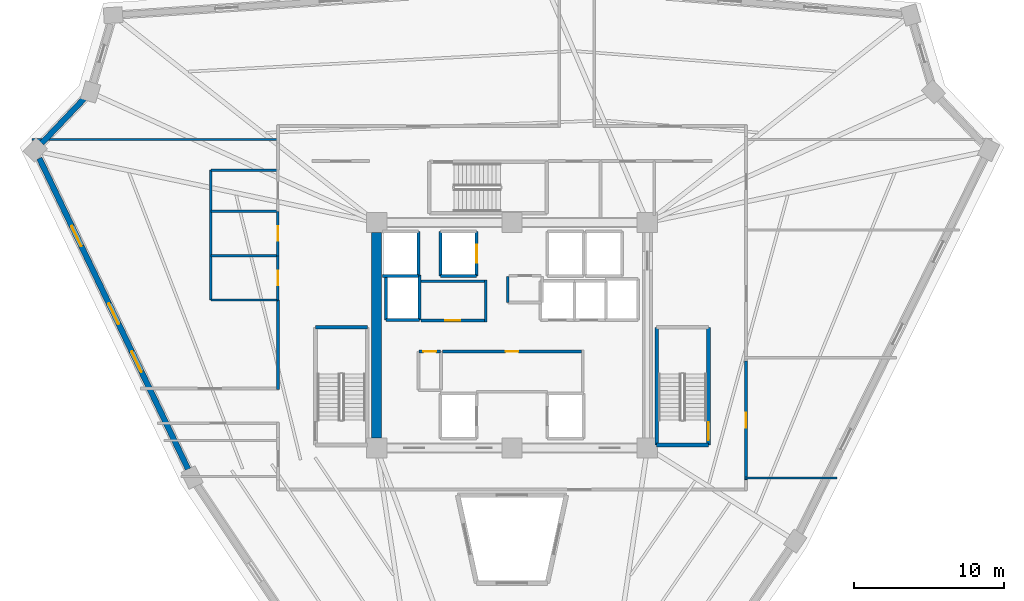
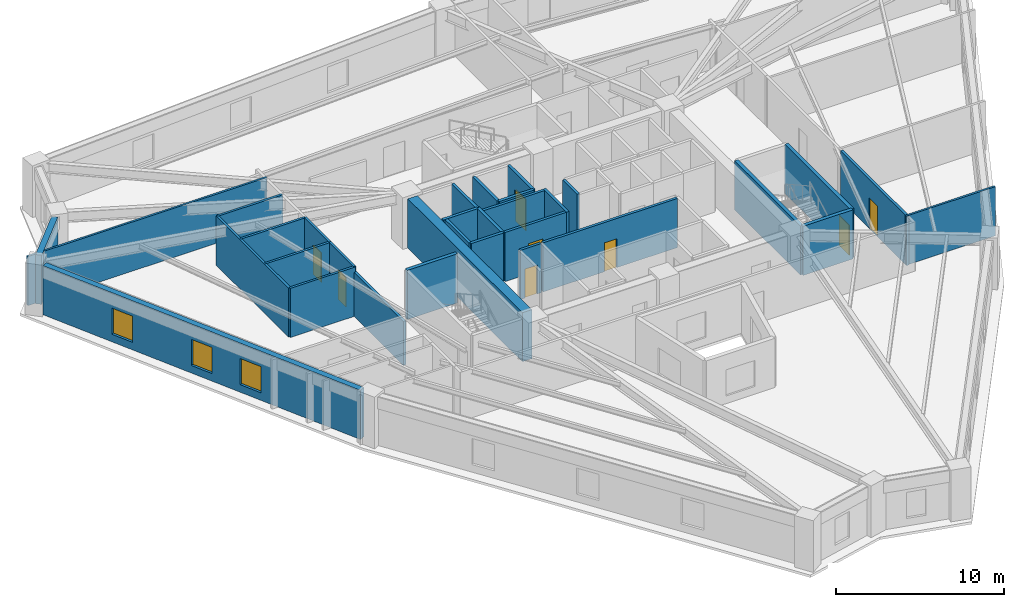
# One storey, part 4 of 8: 32 walls, 8 doors, 3 windows, 11 openings.
"""IFC4 building model written with IfcOpenShell, lengths in metres."""

from ifc_helpers import new_model, si_unit, direction, frame, frame_2d, origin, place, context, subcontext, project, spatial, rectangle, extrude, source, transform, mapped, material, layer, layer_set, type_object, element, fill, save


model = new_model("IFC4")

# Units and contexts
model_context = context("Model", 3, precision=1e-05, world=origin(), true_north=direction((0.0, 1.0)))
body_context = subcontext(model_context, "Body", "Model", "MODEL_VIEW")
ifc_project = project(units=[si_unit("LENGTHUNIT", "METRE"), si_unit("AREAUNIT", "SQUARE_METRE"), si_unit("VOLUMEUNIT", "CUBIC_METRE"), si_unit("PLANEANGLEUNIT", "RADIAN"), si_unit("MASSUNIT", "GRAM", prefix="KILO")], contexts=[model_context])

# Site, building, storey
site_placement = place(None, origin())
site = spatial("IfcSite", under=ifc_project, at=site_placement, CompositionType="ELEMENT")
building_placement = place(site_placement, origin())
building = spatial("IfcBuilding", under=site, at=building_placement, Name="Liaohun Quay Tower", CompositionType="ELEMENT")
storey_placement = place(building_placement, frame((0.0, 0.0, 266.25)))
storey = spatial("IfcBuildingStorey", under=building, at=storey_placement, Name="L69", CompositionType="ELEMENT", Elevation=266.25)

# Walls
ifc_material_1 = material(Name="Concrete C55", Category="concrete")
ifc_layer_1 = layer(ifc_material_1, 0.64990234375, Name="Concrete C55", Category="concrete")
ifc_layer_set_1 = layer_set([ifc_layer_1], Name="Concrete C55")
wall_type_1 = type_object("IfcWallType", Name="WAL-COR-Z3", PredefinedType="SHEAR", material=ifc_layer_set_1)
wall_1_placement = place(storey_placement, frame((51.0, 47.175048828125, 0.0), z_axis=(0.0, 0.0, 1.0), x_axis=(0.0, 1.0, 0.0)))
element("IfcWall", 1, at=wall_1_placement, inside=storey, type_object=wall_type_1, Name="L69 Central Core Shear Wall W", PredefinedType="SHEAR", context=body_context, shape_type="SweptSolid", body=[
    extrude(rectangle(XDim=13.64990234375, YDim=0.64990234375, at=frame_2d((6.824951171875, 0.0))), origin(), (0.0, 0.0, 1.0), 3.570068359375),
])
ifc_material_2 = material(Name="Precast concrete C50 insulated sandwich", Category="concrete")
ifc_layer_2 = layer(ifc_material_2, 0.3798828125, Name="Precast concrete C50 insulated sandwich", Category="concrete")
ifc_layer_set_2 = layer_set([ifc_layer_2], Name="Precast concrete C50 insulated sandwich")
wall_type_2 = type_object("IfcWallType", Name="WAL-EXT-Z34", PredefinedType="SOLIDWALL", material=ifc_layer_set_2)
wall_2_placement = place(storey_placement, frame((31.55908203125, 69.72998046875, 0.0), z_axis=(0.0, 0.0, 1.0), x_axis=(-0.689302304971, -0.724473831385, 0.0)))
element("IfcWall", 2, at=wall_2_placement, inside=storey, type_object=wall_type_2, Name="L69 Brutalist Precast Pier Wall 09", PredefinedType="SOLIDWALL", context=body_context, shape_type="SweptSolid", body=[
    extrude(rectangle(XDim=4.095458984375, YDim=0.3798828125, at=frame_2d((2.0478515625, 0.0))), origin(), (0.0, 0.0, 1.0), 3.570068359375),
])

# Wall, openings, windows
wall_3_placement = place(storey_placement, frame((28.576904296875, 65.761962890625, 0.0), z_axis=(0.0, 0.0, 1.0), x_axis=(0.431702044432, -0.902016266391, 0.0)))
wall_3 = element("IfcWall", 3, at=wall_3_placement, inside=storey, type_object=wall_type_2, Name="L69 Brutalist Precast Pier Wall 10", PredefinedType="SOLIDWALL", context=body_context, shape_type="SweptSolid", body=[
    extrude(rectangle(XDim=22.9140625, YDim=0.3798828125, at=frame_2d((11.45703125, 0.0))), origin(), (0.0, 0.0, 1.0), 3.570068359375),
])
shared_shape_1 = source(origin(), body_context, "Body", "SweptSolid", [
    extrude(rectangle(XDim=1.5, YDim=1.89990234375, at=frame_2d((0.75, 0.949951171875))), frame((0.0, 0.199951171875, 0.0), z_axis=(0.0, -1.0, 0.0), x_axis=(1.0, 0.0, 0.0)), (0.0, 0.0, 1.0), 0.39990234375),
])
opening_1_placement = place(wall_3_placement, frame((4.97900390625, 0.0, 0.550048828125)))
opening_1 = element("IfcOpeningElement", 4, at=opening_1_placement, cuts=wall_3, Name="Opening W03", PredefinedType="OPENING", context=body_context, shape_type="MappedRepresentation", body=[
    mapped(shared_shape_1, transform((0.0, 0.0, 0.0), x_axis=(1.0, 0.0, 0.0), y_axis=(0.0, 1.0, 0.0), z_axis=(0.0, 0.0, 1.0), scale=1.0)),
])
opening_2_placement = place(wall_3_placement, frame((10.70703125, 0.0, 0.550048828125)))
opening_2 = element("IfcOpeningElement", 5, at=opening_2_placement, cuts=wall_3, Name="Opening W03", PredefinedType="OPENING", context=body_context, shape_type="MappedRepresentation", body=[
    mapped(shared_shape_1, transform((0.0, 0.0, 0.0), x_axis=(1.0, 0.0, 0.0), y_axis=(0.0, 1.0, 0.0), z_axis=(0.0, 0.0, 1.0), scale=1.0)),
])
opening_3_placement = place(wall_3_placement, frame((14.236083984375, 0.0, 0.550048828125)))
opening_3 = element("IfcOpeningElement", 6, at=opening_3_placement, cuts=wall_3, Name="Opening W03", PredefinedType="OPENING", context=body_context, shape_type="MappedRepresentation", body=[
    mapped(shared_shape_1, transform((0.0, 0.0, 0.0), x_axis=(1.0, 0.0, 0.0), y_axis=(0.0, 1.0, 0.0), z_axis=(0.0, 0.0, 1.0), scale=1.0)),
])
ifc_material_3 = material(Name="Triple Low-E argon glazing in thermally broken aluminium", Category="aluminium")
window_type = type_object("IfcWindowType", Name="WIN-PUN-Z3", PartitioningType="DOUBLE_PANEL_VERTICAL", PredefinedType="WINDOW", material=ifc_material_3)
shared_shape_2 = source(origin(), body_context, "Body", "SweptSolid", [
    extrude(rectangle(XDim=1.5, YDim=1.89990234375, at=frame_2d((0.75, 0.949951171875))), frame((0.0, 0.030029296875, 0.0), z_axis=(0.0, -1.0, 0.0), x_axis=(1.0, 0.0, 0.0)), (0.0, 0.0, 1.0), 0.06005859375),
])
window_1_placement = place(opening_1_placement, origin())
window_1 = element("IfcWindow", 7, at=window_1_placement, inside=storey, type_object=window_type, Name="L69 Recessed Cold-Climate Punched Window 10-1", OverallHeight=1.89990234375, OverallWidth=1.5, PartitioningType="DOUBLE_PANEL_VERTICAL", PredefinedType="WINDOW", context=body_context, shape_type="MappedRepresentation", body=[
    mapped(shared_shape_2, transform((0.0, 0.0, 0.0), x_axis=(1.0, 0.0, 0.0), y_axis=(0.0, 1.0, 0.0), z_axis=(0.0, 0.0, 1.0), scale=1.0)),
])
fill(opening_1, window_1)
window_2_placement = place(opening_2_placement, origin())
window_2 = element("IfcWindow", 8, at=window_2_placement, inside=storey, type_object=window_type, Name="L69 Recessed Cold-Climate Punched Window 10-2", OverallHeight=1.89990234375, OverallWidth=1.5, PartitioningType="DOUBLE_PANEL_VERTICAL", PredefinedType="WINDOW", context=body_context, shape_type="MappedRepresentation", body=[
    mapped(shared_shape_2, transform((0.0, 0.0, 0.0), x_axis=(1.0, 0.0, 0.0), y_axis=(0.0, 1.0, 0.0), z_axis=(0.0, 0.0, 1.0), scale=1.0)),
])
fill(opening_2, window_2)
window_3_placement = place(opening_3_placement, origin())
window_3 = element("IfcWindow", 9, at=window_3_placement, inside=storey, type_object=window_type, Name="L69 Recessed Cold-Climate Punched Window 10-3", OverallHeight=1.89990234375, OverallWidth=1.5, PartitioningType="DOUBLE_PANEL_VERTICAL", PredefinedType="WINDOW", context=body_context, shape_type="MappedRepresentation", body=[
    mapped(shared_shape_2, transform((0.0, 0.0, 0.0), x_axis=(1.0, 0.0, 0.0), y_axis=(0.0, 1.0, 0.0), z_axis=(0.0, 0.0, 1.0), scale=1.0)),
])
fill(opening_3, window_3)

# Wall, opening, door
ifc_material_4 = material(Name="Autoclaved aerated concrete blockwork", Category="masonry")
ifc_layer_3 = layer(ifc_material_4, 0.179931640625, Name="Autoclaved aerated concrete blockwork", Category="masonry")
ifc_layer_set_3 = layer_set([ifc_layer_3], Name="Autoclaved aerated concrete blockwork")
wall_type_3 = type_object("IfcWallType", Name="WAL-PRT-COR", PredefinedType="PARTITIONING", material=ifc_layer_set_3)
wall_4_placement = place(storey_placement, frame((55.3701171875, 52.919921875, 0.0), z_axis=(0.0, 0.0, 1.0), x_axis=(1.0, 0.0, 0.0)))
wall_4 = element("IfcWall", 10, at=wall_4_placement, inside=storey, type_object=wall_type_3, Name="L69 Interior Partition Wall 001", PredefinedType="PARTITIONING", context=body_context, shape_type="SweptSolid", body=[
    extrude(rectangle(XDim=9.239990234375, YDim=0.179931640625, at=frame_2d((4.6201171875, 0.0))), origin(), (0.0, 0.0, 1.0), 3.570068359375),
])
shared_shape_3 = source(origin(), body_context, "Body", "SweptSolid", [
    extrude(rectangle(XDim=0.85009765625, YDim=2.10009765625, at=frame_2d((0.425048828125, 1.050048828125))), frame((0.0, 0.099853515625, 0.0), z_axis=(0.0, -1.0, 0.0), x_axis=(1.0, 0.0, 0.0)), (0.0, 0.0, 1.0), 0.199951171875),
])
opening_4_placement = place(wall_4_placement, frame((4.205078125, 0.0, 0.0)))
opening_4 = element("IfcOpeningElement", 11, at=opening_4_placement, cuts=wall_4, Name="Opening AD1", PredefinedType="OPENING", context=body_context, shape_type="MappedRepresentation", body=[
    mapped(shared_shape_3, transform((0.0, 0.0, 0.0), x_axis=(1.0, 0.0, 0.0), y_axis=(0.0, 1.0, 0.0), z_axis=(0.0, 0.0, 1.0), scale=1.0)),
])
ifc_material_5 = material(Name="Steel riser inspection fire door", Category="steel")
door_type_1 = type_object("IfcDoorType", Name="DOR-SHF-850", OperationType="NOTDEFINED", PredefinedType="DOOR", material=ifc_material_5)
shared_shape_4 = source(origin(), body_context, "Body", "SweptSolid", [
    extrude(rectangle(XDim=0.85009765625, YDim=2.10009765625, at=frame_2d((0.425048828125, 1.050048828125))), frame((0.0, 0.02490234375, 0.0), z_axis=(0.0, -1.0, 0.0), x_axis=(1.0, 0.0, 0.0)), (0.0, 0.0, 1.0), 0.050048828125),
])
door_1_placement = place(opening_4_placement, origin())
door_1 = element("IfcDoor", 12, at=door_1_placement, inside=storey, type_object=door_type_1, Name="L69 Core Tenant Storage and Archive Room Door", OperationType="SINGLE_SWING_LEFT", OverallHeight=2.10009765625, OverallWidth=0.85009765625, PredefinedType="DOOR", context=body_context, shape_type="MappedRepresentation", body=[
    mapped(shared_shape_4, transform((0.0, 0.0, 0.0), x_axis=(1.0, 0.0, 0.0), y_axis=(0.0, 1.0, 0.0), z_axis=(0.0, 0.0, 1.0), scale=1.0)),
])
fill(opening_4, door_1)

wall_5_placement = place(storey_placement, frame((53.949951171875, 54.97998046875, 0.0), z_axis=(0.0, 0.0, 1.0), x_axis=(1.0, 0.0, 0.0)))
wall_5 = element("IfcWall", 13, at=wall_5_placement, inside=storey, type_object=wall_type_3, Name="L69 Interior Partition Wall 002", PredefinedType="PARTITIONING", context=body_context, shape_type="SweptSolid", body=[
    extrude(rectangle(XDim=4.2099609375, YDim=0.179931640625, at=frame_2d((2.10498046875, 0.0))), origin(), (0.0, 0.0, 1.0), 3.570068359375),
])
shared_shape_5 = source(origin(), body_context, "Body", "SweptSolid", [
    extrude(rectangle(XDim=1.0, YDim=2.199951171875, at=frame_2d((0.5, 1.10009765625))), frame((0.0, 0.099853515625, 0.0), z_axis=(0.0, -1.0, 0.0), x_axis=(1.0, 0.0, 0.0)), (0.0, 0.0, 1.0), 0.199951171875),
])
opening_5_placement = place(wall_5_placement, frame((1.60009765625, 0.0, 0.0)))
opening_5 = element("IfcOpeningElement", 14, at=opening_5_placement, cuts=wall_5, Name="Opening OD1", PredefinedType="OPENING", context=body_context, shape_type="MappedRepresentation", body=[
    mapped(shared_shape_5, transform((0.0, 0.0, 0.0), x_axis=(1.0, 0.0, 0.0), y_axis=(0.0, 1.0, 0.0), z_axis=(0.0, 0.0, 1.0), scale=1.0)),
])
ifc_material_6 = material(Name="Solid-core oak veneer timber leaf in steel frame", Category="steel")
door_type_2 = type_object("IfcDoorType", Name="DOR-OFF-1000", OperationType="NOTDEFINED", PredefinedType="DOOR", material=ifc_material_6)
shared_shape_6 = source(origin(), body_context, "Body", "SweptSolid", [
    extrude(rectangle(XDim=1.0, YDim=2.199951171875, at=frame_2d((0.5, 1.10009765625))), frame((0.0, 0.02490234375, 0.0), z_axis=(0.0, -1.0, 0.0), x_axis=(1.0, 0.0, 0.0)), (0.0, 0.0, 1.0), 0.050048828125),
])
door_2_placement = place(opening_5_placement, origin())
door_2 = element("IfcDoor", 15, at=door_2_placement, inside=storey, type_object=door_type_2, Name="L69 Core Staff Pantry and Tea Room Door", OperationType="SINGLE_SWING_RIGHT", OverallHeight=2.199951171875, OverallWidth=1.0, PredefinedType="DOOR", context=body_context, shape_type="MappedRepresentation", body=[
    mapped(shared_shape_6, transform((0.0, 0.0, 0.0), x_axis=(1.0, 0.0, 0.0), y_axis=(0.0, 1.0, 0.0), z_axis=(0.0, 0.0, 1.0), scale=1.0)),
])
fill(opening_5, door_2)

wall_6_placement = place(storey_placement, frame((53.820068359375, 52.919921875, 0.0), z_axis=(0.0, 0.0, 1.0), x_axis=(1.0, 0.0, 0.0)))
wall_6 = element("IfcWall", 16, at=wall_6_placement, inside=storey, type_object=wall_type_3, Name="L69 Interior Partition Wall 004", PredefinedType="PARTITIONING", context=body_context, shape_type="SweptSolid", body=[
    extrude(rectangle(XDim=1.429931640625, YDim=0.179931640625, at=frame_2d((0.71484375, 0.0))), origin(), (0.0, 0.0, 1.0), 3.570068359375),
])
opening_6_placement = place(wall_6_placement, frame((0.2900390625, 0.0, 0.0)))
opening_6 = element("IfcOpeningElement", 17, at=opening_6_placement, cuts=wall_6, Name="Opening AD1", PredefinedType="OPENING", context=body_context, shape_type="MappedRepresentation", body=[
    mapped(shared_shape_3, transform((0.0, 0.0, 0.0), x_axis=(1.0, 0.0, 0.0), y_axis=(0.0, 1.0, 0.0), z_axis=(0.0, 0.0, 1.0), scale=1.0)),
])
door_3_placement = place(opening_6_placement, origin())
door_3 = element("IfcDoor", 18, at=door_3_placement, inside=storey, type_object=door_type_1, Name="L69 Mechanical Smoke Duct Room Door", OperationType="SINGLE_SWING_RIGHT", OverallHeight=2.10009765625, OverallWidth=0.85009765625, PredefinedType="DOOR", context=body_context, shape_type="MappedRepresentation", body=[
    mapped(shared_shape_4, transform((0.0, 0.0, 0.0), x_axis=(1.0, 0.0, 0.0), y_axis=(0.0, 1.0, 0.0), z_axis=(0.0, 0.0, 1.0), scale=1.0)),
])
fill(opening_6, door_3)

wall_7_placement = place(storey_placement, frame((75.56005859375, 52.284912109375, 0.0), z_axis=(0.0, 0.0, 1.0), x_axis=(0.0, -1.0, 0.0)))
wall_7 = element("IfcWall", 19, at=wall_7_placement, inside=storey, type_object=wall_type_3, Name="L69 Interior Partition Wall 020", PredefinedType="PARTITIONING", context=body_context, shape_type="SweptSolid", body=[
    extrude(rectangle(XDim=7.89990234375, YDim=0.179931640625, at=frame_2d((3.949951171875, 0.0))), origin(), (0.0, 0.0, 1.0), 3.570068359375),
])
opening_7_placement = place(wall_7_placement, frame((3.449951171875, 0.0, 0.0)))
opening_7 = element("IfcOpeningElement", 20, at=opening_7_placement, cuts=wall_7, Name="Opening OD1", PredefinedType="OPENING", context=body_context, shape_type="MappedRepresentation", body=[
    mapped(shared_shape_5, transform((0.0, 0.0, 0.0), x_axis=(1.0, 0.0, 0.0), y_axis=(0.0, 1.0, 0.0), z_axis=(0.0, 0.0, 1.0), scale=1.0)),
])
door_4_placement = place(opening_7_placement, origin())
door_4 = element("IfcDoor", 21, at=door_4_placement, inside=storey, type_object=door_type_2, Name="L69 Records Archive Store 09 Door", OperationType="SINGLE_SWING_RIGHT", OverallHeight=2.199951171875, OverallWidth=1.0, PredefinedType="DOOR", context=body_context, shape_type="MappedRepresentation", body=[
    mapped(shared_shape_6, transform((0.0, 0.0, 0.0), x_axis=(1.0, 0.0, 0.0), y_axis=(0.0, 1.0, 0.0), z_axis=(0.0, 0.0, 1.0), scale=1.0)),
])
fill(opening_7, door_4)

# Walls
wall_8_placement = place(storey_placement, frame((59.719970703125, 56.179931640625, 0.0), z_axis=(0.0, 0.0, 1.0), x_axis=(0.0, 1.0, 0.0)))
element("IfcWall", 22, at=wall_8_placement, inside=storey, type_object=wall_type_3, Name="L69 Interior Partition Wall 021", PredefinedType="PARTITIONING", context=body_context, shape_type="SweptSolid", body=[
    extrude(rectangle(XDim=1.739990234375, YDim=0.179931640625, at=frame_2d((0.8701171875, 0.0))), origin(), (0.0, 0.0, 1.0), 3.570068359375),
])
wall_9_placement = place(storey_placement, frame((44.43994140625, 50.389892578125, 0.0), z_axis=(0.0, 0.0, 1.0), x_axis=(0.0, 1.0, 0.0)))
element("IfcWall", 23, at=wall_9_placement, inside=storey, type_object=wall_type_3, Name="L69 Interior Partition Wall 038", PredefinedType="PARTITIONING", context=body_context, shape_type="SweptSolid", body=[
    extrude(rectangle(XDim=5.9501953125, YDim=0.179931640625, at=frame_2d((2.97509765625, 0.0))), origin(), (0.0, 0.0, 1.0), 3.205078125),
])
wall_10_placement = place(storey_placement, frame((58.25, 54.889892578125, 0.0), z_axis=(0.0, 0.0, 1.0), x_axis=(0.0, 1.0, 0.0)))
element("IfcWall", 24, at=wall_10_placement, inside=storey, type_object=wall_type_3, Name="L69 Interior Partition Wall 052", PredefinedType="PARTITIONING", context=body_context, shape_type="SweptSolid", body=[
    extrude(rectangle(XDim=2.780029296875, YDim=0.179931640625, at=frame_2d((1.39013671875, 0.0))), origin(), (0.0, 0.0, 1.0), 3.570068359375),
])
wall_11_placement = place(storey_placement, frame((53.949951171875, 57.580078125, 0.0), z_axis=(0.0, 0.0, 1.0), x_axis=(1.0, 0.0, 0.0)))
element("IfcWall", 25, at=wall_11_placement, inside=storey, type_object=wall_type_3, Name="L69 Interior Partition Wall 053", PredefinedType="PARTITIONING", context=body_context, shape_type="SweptSolid", body=[
    extrude(rectangle(XDim=4.2099609375, YDim=0.179931640625, at=frame_2d((2.10498046875, 0.0))), origin(), (0.0, 0.0, 1.0), 3.570068359375),
])
ifc_material_7 = material(Name="Gypsum board on twin steel studs", Category="steel")
ifc_layer_4 = layer(ifc_material_7, 0.139892578125, Name="Gypsum board on twin steel studs", Category="steel")
ifc_layer_set_4 = layer_set([ifc_layer_4], Name="Gypsum board on twin steel studs")
wall_type_4 = type_object("IfcWallType", Name="WAL-PRT-OFF", PredefinedType="PARTITIONING", material=ifc_layer_set_4)
wall_12_placement = place(storey_placement, frame((44.5400390625, 67.0, 0.0), z_axis=(0.0, 0.0, 1.0), x_axis=(-1.0, 0.0, 0.0)))
element("IfcWall", 26, at=wall_12_placement, inside=storey, type_object=wall_type_4, Name="L69 Interior Partition Wall 045", PredefinedType="PARTITIONING", context=body_context, shape_type="SweptSolid", body=[
    extrude(rectangle(XDim=16.448974609375, YDim=0.139892578125, at=frame_2d((8.224609375, 0.0))), origin(), (0.0, 0.0, 1.0), 3.570068359375),
])
wall_13_placement = place(storey_placement, frame((75.4599609375, 44.5, 0.0), z_axis=(0.0, 0.0, 1.0), x_axis=(1.0, 0.0, 0.0)))
element("IfcWall", 27, at=wall_13_placement, inside=storey, type_object=wall_type_4, Name="L69 Interior Partition Wall 046", PredefinedType="PARTITIONING", context=body_context, shape_type="SweptSolid", body=[
    extrude(rectangle(XDim=6.14013671875, YDim=0.139892578125, at=frame_2d((3.070068359375, 0.0))), origin(), (0.0, 0.0, 1.0), 3.570068359375),
])

# Wall, opening, door
ifc_material_8 = material(Name="Moisture-resistant masonry blockwork", Category="masonry")
ifc_layer_5 = layer(ifc_material_8, 0.159912109375, Name="Moisture-resistant masonry blockwork", Category="masonry")
ifc_layer_set_5 = layer_set([ifc_layer_5], Name="Moisture-resistant masonry blockwork")
wall_type_5 = type_object("IfcWallType", Name="WAL-PRT-WET", PredefinedType="PARTITIONING", material=ifc_layer_set_5)
wall_14_placement = place(storey_placement, frame((44.43994140625, 56.340087890625, 0.0), z_axis=(0.0, 0.0, 1.0), x_axis=(0.0, 1.0, 0.0)))
wall_14 = element("IfcWall", 28, at=wall_14_placement, inside=storey, type_object=wall_type_5, Name="L69 Interior Partition Wall 005", PredefinedType="PARTITIONING", context=body_context, shape_type="SweptSolid", body=[
    extrude(rectangle(XDim=2.93994140625, YDim=0.159912109375, at=frame_2d((1.469970703125, 0.0))), origin(), (0.0, 0.0, 1.0), 3.570068359375),
])
shared_shape_7 = source(origin(), body_context, "Body", "SweptSolid", [
    extrude(rectangle(XDim=0.949951171875, YDim=2.14990234375, at=frame_2d((0.47509765625, 1.074951171875))), frame((0.0, 0.08984375, 0.0), z_axis=(0.0, -1.0, 0.0), x_axis=(1.0, 0.0, 0.0)), (0.0, 0.0, 1.0), 0.179931640625),
])
opening_8_placement = place(wall_14_placement, frame((0.9951171875, 0.0, 0.0)))
opening_8 = element("IfcOpeningElement", 29, at=opening_8_placement, cuts=wall_14, Name="Opening WD1", PredefinedType="OPENING", context=body_context, shape_type="MappedRepresentation", body=[
    mapped(shared_shape_7, transform((0.0, 0.0, 0.0), x_axis=(1.0, 0.0, 0.0), y_axis=(0.0, 1.0, 0.0), z_axis=(0.0, 0.0, 1.0), scale=1.0)),
])
ifc_material_9 = material(Name="Moisture-resistant laminate timber leaf", Category="wood")
door_type_3 = type_object("IfcDoorType", Name="DOR-WC-950", OperationType="NOTDEFINED", PredefinedType="DOOR", material=ifc_material_9)
shared_shape_8 = source(origin(), body_context, "Body", "SweptSolid", [
    extrude(rectangle(XDim=0.949951171875, YDim=2.14990234375, at=frame_2d((0.47509765625, 1.074951171875))), frame((0.0, 0.02490234375, 0.0), z_axis=(0.0, -1.0, 0.0), x_axis=(1.0, 0.0, 0.0)), (0.0, 0.0, 1.0), 0.050048828125),
])
door_5_placement = place(opening_8_placement, origin())
door_5 = element("IfcDoor", 30, at=door_5_placement, inside=storey, type_object=door_type_3, Name="L69 Male Restroom WC Door", OperationType="SINGLE_SWING_LEFT", OverallHeight=2.14990234375, OverallWidth=0.949951171875, PredefinedType="DOOR", context=body_context, shape_type="MappedRepresentation", body=[
    mapped(shared_shape_8, transform((0.0, 0.0, 0.0), x_axis=(1.0, 0.0, 0.0), y_axis=(0.0, 1.0, 0.0), z_axis=(0.0, 0.0, 1.0), scale=1.0)),
])
fill(opening_8, door_5)

wall_15_placement = place(storey_placement, frame((44.43994140625, 59.280029296875, 0.0), z_axis=(0.0, 0.0, 1.0), x_axis=(0.0, 1.0, 0.0)))
wall_15 = element("IfcWall", 31, at=wall_15_placement, inside=storey, type_object=wall_type_5, Name="L69 Interior Partition Wall 006", PredefinedType="PARTITIONING", context=body_context, shape_type="SweptSolid", body=[
    extrude(rectangle(XDim=2.9599609375, YDim=0.159912109375, at=frame_2d((1.47998046875, 0.0))), origin(), (0.0, 0.0, 1.0), 3.570068359375),
])
opening_9_placement = place(wall_15_placement, frame((1.0048828125, 0.0, 0.0)))
opening_9 = element("IfcOpeningElement", 32, at=opening_9_placement, cuts=wall_15, Name="Opening WD1", PredefinedType="OPENING", context=body_context, shape_type="MappedRepresentation", body=[
    mapped(shared_shape_7, transform((0.0, 0.0, 0.0), x_axis=(1.0, 0.0, 0.0), y_axis=(0.0, 1.0, 0.0), z_axis=(0.0, 0.0, 1.0), scale=1.0)),
])
door_6_placement = place(opening_9_placement, origin())
door_6 = element("IfcDoor", 33, at=door_6_placement, inside=storey, type_object=door_type_3, Name="L69 Female Restroom WC Door", OperationType="SINGLE_SWING_RIGHT", OverallHeight=2.14990234375, OverallWidth=0.949951171875, PredefinedType="DOOR", context=body_context, shape_type="MappedRepresentation", body=[
    mapped(shared_shape_8, transform((0.0, 0.0, 0.0), x_axis=(1.0, 0.0, 0.0), y_axis=(0.0, 1.0, 0.0), z_axis=(0.0, 0.0, 1.0), scale=1.0)),
])
fill(opening_9, door_6)

# Walls
wall_16_placement = place(storey_placement, frame((39.97998046875, 56.340087890625, 0.0), z_axis=(0.0, 0.0, 1.0), x_axis=(0.0, 1.0, 0.0)))
element("IfcWall", 34, at=wall_16_placement, inside=storey, type_object=wall_type_5, Name="L69 Interior Partition Wall 027", PredefinedType="PARTITIONING", context=body_context, shape_type="SweptSolid", body=[
    extrude(rectangle(XDim=8.639892578125, YDim=0.159912109375, at=frame_2d((4.31982421875, 0.0))), origin(), (0.0, 0.0, 1.0), 3.570068359375),
])
for number, where, z_axis, x_axis, name in (
    (35, (39.97998046875, 56.340087890625, 0.0), (0.0, 0.0, 1.0), (1.0, 0.0, 0.0), "L69 Interior Partition Wall 028"),
    (36, (39.97998046875, 59.280029296875, 0.0), (0.0, 0.0, 1.0), (1.0, 0.0, 0.0), "L69 Interior Partition Wall 029"),
    (37, (39.97998046875, 62.239990234375, 0.0), (0.0, 0.0, 1.0), (1.0, 0.0, 0.0), "L69 Interior Partition Wall 030"),
    (38, (39.97998046875, 64.97998046875, 0.0), (0.0, 0.0, 1.0), (1.0, 0.0, 0.0), "L69 Interior Partition Wall 031"),
):
    element("IfcWall", number, at=place(storey_placement, frame(where, z_axis=z_axis, x_axis=x_axis)), inside=storey, type_object=wall_type_5, Name=name, PredefinedType="PARTITIONING", context=body_context, shape_type="SweptSolid", body=[
        extrude(rectangle(XDim=4.4599609375, YDim=0.159912109375, at=frame_2d((2.22998046875, 0.0))), origin(), (0.0, 0.0, 1.0), 3.570068359375),
    ])
ifc_material_10 = material(Name="Concrete C50", Category="concrete")
ifc_layer_6 = layer(ifc_material_10, 0.239990234375, Name="Concrete C50", Category="concrete")
ifc_layer_set_6 = layer_set([ifc_layer_6], Name="Concrete C50")
wall_type_6 = type_object("IfcWallType", Name="WAL-SHF-200", PredefinedType="SOLIDWALL", material=ifc_layer_set_6)
for number, where, z_axis, x_axis, name in (
    (39, (50.3798828125, 54.52001953125, 0.0), (0.0, 0.0, 1.0), (-1.0, 0.0, 0.0), "L69 Stairwell ST-1 Structural Core Wall N"),
    (40, (69.6201171875, 46.699951171875, 0.0), (0.0, 0.0, 1.0), (1.0, 0.0, 0.0), "L69 Stairwell ST-2 Structural Core Wall S"),
):
    element("IfcWall", number, at=place(storey_placement, frame(where, z_axis=z_axis, x_axis=x_axis)), inside=storey, type_object=wall_type_6, Name=name, PredefinedType="SOLIDWALL", context=body_context, shape_type="SweptSolid", body=[
        extrude(rectangle(XDim=3.43994140625, YDim=0.239990234375, at=frame_2d((1.719970703125, 0.0))), origin(), (0.0, 0.0, 1.0), 3.570068359375),
    ])

# Wall, opening, door
wall_17_placement = place(storey_placement, frame((73.06005859375, 46.699951171875, 0.0), z_axis=(0.0, 0.0, 1.0), x_axis=(0.0, 1.0, 0.0)))
wall_17 = element("IfcWall", 41, at=wall_17_placement, inside=storey, type_object=wall_type_6, Name="L69 Stairwell ST-2 Structural Core Wall E", PredefinedType="SOLIDWALL", context=body_context, shape_type="SweptSolid", body=[
    extrude(rectangle(XDim=7.820068359375, YDim=0.239990234375, at=frame_2d((3.91015625, 0.0))), origin(), (0.0, 0.0, 1.0), 3.570068359375),
])
shared_shape_9 = source(origin(), body_context, "Body", "SweptSolid", [
    extrude(rectangle(XDim=1.199951171875, YDim=2.199951171875, at=frame_2d((0.60009765625, 1.10009765625))), frame((0.0, 0.1298828125, 0.0), z_axis=(0.0, -1.0, 0.0), x_axis=(1.0, 0.0, 0.0)), (0.0, 0.0, 1.0), 0.260009765625),
])
opening_10_placement = place(wall_17_placement, frame((0.320068359375, 0.0, 0.0)))
opening_10 = element("IfcOpeningElement", 42, at=opening_10_placement, cuts=wall_17, Name="Opening SD1", PredefinedType="OPENING", context=body_context, shape_type="MappedRepresentation", body=[
    mapped(shared_shape_9, transform((0.0, 0.0, 0.0), x_axis=(1.0, 0.0, 0.0), y_axis=(0.0, 1.0, 0.0), z_axis=(0.0, 0.0, 1.0), scale=1.0)),
])
ifc_material_11 = material(Name="Galvanised steel fire door", Category="steel")
door_type_4 = type_object("IfcDoorType", Name="DOR-STR-1200", OperationType="NOTDEFINED", PredefinedType="DOOR", material=ifc_material_11)
shared_shape_10 = source(origin(), body_context, "Body", "SweptSolid", [
    extrude(rectangle(XDim=1.199951171875, YDim=2.199951171875, at=frame_2d((0.60009765625, 1.10009765625))), frame((0.0, 0.02490234375, 0.0), z_axis=(0.0, -1.0, 0.0), x_axis=(1.0, 0.0, 0.0)), (0.0, 0.0, 1.0), 0.050048828125),
])
door_7_placement = place(opening_10_placement, origin())
door_7 = element("IfcDoor", 43, at=door_7_placement, inside=storey, type_object=door_type_4, Name="L69 Protected Stair ST-2 Fire Door", OperationType="SINGLE_SWING_RIGHT", OverallHeight=2.199951171875, OverallWidth=1.199951171875, PredefinedType="DOOR", context=body_context, shape_type="MappedRepresentation", body=[
    mapped(shared_shape_10, transform((0.0, 0.0, 0.0), x_axis=(1.0, 0.0, 0.0), y_axis=(0.0, 1.0, 0.0), z_axis=(0.0, 0.0, 1.0), scale=1.0)),
])
fill(opening_10, door_7)

# Walls
wall_18_placement = place(storey_placement, frame((69.6201171875, 54.52001953125, 0.0), z_axis=(0.0, 0.0, 1.0), x_axis=(0.0, -1.0, 0.0)))
element("IfcWall", 44, at=wall_18_placement, inside=storey, type_object=wall_type_6, Name="L69 Stairwell ST-2 Structural Core Wall W", PredefinedType="SOLIDWALL", context=body_context, shape_type="SweptSolid", body=[
    extrude(rectangle(XDim=7.820068359375, YDim=0.239990234375, at=frame_2d((3.91015625, 0.0))), origin(), (0.0, 0.0, 1.0), 3.570068359375),
])
wall_19_placement = place(storey_placement, frame((55.25, 57.949951171875, 0.0), z_axis=(0.0, 0.0, 1.0), x_axis=(1.0, 0.0, 0.0)))
element("IfcWall", 45, at=wall_19_placement, inside=storey, type_object=wall_type_6, Name="L69 Lift FF-03 Hoistway Wall S", PredefinedType="SOLIDWALL", context=body_context, shape_type="SweptSolid", body=[
    extrude(rectangle(XDim=2.39990234375, YDim=0.199951171875, at=frame_2d((1.199951171875, 0.0))), origin(), (0.0, 0.0, 1.0), 3.570068359375),
])

# Wall, opening, door
wall_20_placement = place(storey_placement, frame((57.64990234375, 57.949951171875, 0.0), z_axis=(0.0, 0.0, 1.0), x_axis=(0.0, 1.0, 0.0)))
wall_20 = element("IfcWall", 46, at=wall_20_placement, inside=storey, type_object=wall_type_6, Name="L69 Lift FF-03 Hoistway Wall E", PredefinedType="SOLIDWALL", context=body_context, shape_type="SweptSolid", body=[
    extrude(rectangle(XDim=2.929931640625, YDim=0.199951171875, at=frame_2d((1.46484375, 0.0))), origin(), (0.0, 0.0, 1.0), 3.570068359375),
])
shared_shape_11 = source(origin(), body_context, "Body", "SweptSolid", [
    extrude(rectangle(XDim=1.199951171875, YDim=2.300048828125, at=frame_2d((0.60009765625, 1.14990234375))), frame((0.0, 0.10986328125, 0.0), z_axis=(0.0, -1.0, 0.0), x_axis=(1.0, 0.0, 0.0)), (0.0, 0.0, 1.0), 0.219970703125),
])
opening_11_placement = place(wall_20_placement, frame((0.864990234375, 0.0, 0.0)))
opening_11 = element("IfcOpeningElement", 47, at=opening_11_placement, cuts=wall_20, Name="Opening LD2", PredefinedType="OPENING", context=body_context, shape_type="MappedRepresentation", body=[
    mapped(shared_shape_11, transform((0.0, 0.0, 0.0), x_axis=(1.0, 0.0, 0.0), y_axis=(0.0, 1.0, 0.0), z_axis=(0.0, 0.0, 1.0), scale=1.0)),
])
ifc_material_12 = material(Name="Brushed stainless steel stretcher landing door", Category="steel")
door_type_5 = type_object("IfcDoorType", Name="DOR-LFT-1200", OperationType="SLIDING_TO_LEFT", PredefinedType="DOOR", material=ifc_material_12)
shared_shape_12 = source(origin(), body_context, "Body", "SweptSolid", [
    extrude(rectangle(XDim=1.199951171875, YDim=2.300048828125, at=frame_2d((0.60009765625, 1.14990234375))), frame((0.0, 0.02490234375, 0.0), z_axis=(0.0, -1.0, 0.0), x_axis=(1.0, 0.0, 0.0)), (0.0, 0.0, 1.0), 0.050048828125),
])
door_8_placement = place(opening_11_placement, origin())
door_8 = element("IfcDoor", 48, at=door_8_placement, inside=storey, type_object=door_type_5, Name="L69 Lift FF-03 Sliding Landing Door", OperationType="SLIDING_TO_LEFT", OverallHeight=2.300048828125, OverallWidth=1.199951171875, PredefinedType="DOOR", context=body_context, shape_type="MappedRepresentation", body=[
    mapped(shared_shape_12, transform((0.0, 0.0, 0.0), x_axis=(1.0, 0.0, 0.0), y_axis=(0.0, 1.0, 0.0), z_axis=(0.0, 0.0, 1.0), scale=1.0)),
])
fill(opening_11, door_8)

# Walls
wall_21_placement = place(storey_placement, frame((55.25, 60.8798828125, 0.0), z_axis=(0.0, 0.0, 1.0), x_axis=(0.0, -1.0, 0.0)))
element("IfcWall", 49, at=wall_21_placement, inside=storey, type_object=wall_type_6, Name="L69 Lift FF-03 Hoistway Wall W", PredefinedType="SOLIDWALL", context=body_context, shape_type="SweptSolid", body=[
    extrude(rectangle(XDim=2.929931640625, YDim=0.199951171875, at=frame_2d((1.46484375, 0.0))), origin(), (0.0, 0.0, 1.0), 3.570068359375),
])
wall_22_placement = place(storey_placement, frame((51.39990234375, 57.949951171875, 0.0), z_axis=(0.0, 0.0, 1.0), x_axis=(1.0, 0.0, 0.0)))
element("IfcWall", 50, at=wall_22_placement, inside=storey, type_object=wall_type_6, Name="L69 Lift SH-01 Hoistway Wall S", PredefinedType="SOLIDWALL", context=body_context, shape_type="SweptSolid", body=[
    extrude(rectangle(XDim=2.400146484375, YDim=0.199951171875, at=frame_2d((1.2001953125, 0.0))), origin(), (0.0, 0.0, 1.0), 3.570068359375),
])
wall_23_placement = place(storey_placement, frame((53.800048828125, 57.949951171875, 0.0), z_axis=(0.0, 0.0, 1.0), x_axis=(0.0, 1.0, 0.0)))
element("IfcWall", 51, at=wall_23_placement, inside=storey, type_object=wall_type_6, Name="L69 Lift SH-01 Hoistway Wall E", PredefinedType="SOLIDWALL", context=body_context, shape_type="SweptSolid", body=[
    extrude(rectangle(XDim=2.929931640625, YDim=0.199951171875, at=frame_2d((1.46484375, 0.0))), origin(), (0.0, 0.0, 1.0), 3.570068359375),
])
wall_24_placement = place(storey_placement, frame((51.6201171875, 55.0, 0.0), z_axis=(0.0, 0.0, 1.0), x_axis=(1.0, 0.0, 0.0)))
element("IfcWall", 52, at=wall_24_placement, inside=storey, type_object=wall_type_6, Name="L69 Lift SH-02 Hoistway Wall S", PredefinedType="SOLIDWALL", context=body_context, shape_type="SweptSolid", body=[
    extrude(rectangle(XDim=2.22998046875, YDim=0.199951171875, at=frame_2d((1.114990234375, 0.0))), origin(), (0.0, 0.0, 1.0), 3.570068359375),
])
for number, where, z_axis, x_axis, name in (
    (53, (53.85009765625, 55.0, 0.0), (0.0, 0.0, 1.0), (0.0, 1.0, 0.0), "L69 Lift SH-02 Hoistway Wall E"),
    (54, (51.6201171875, 58.0, 0.0), (0.0, 0.0, 1.0), (0.0, -1.0, 0.0), "L69 Lift SH-02 Hoistway Wall W"),
):
    element("IfcWall", number, at=place(storey_placement, frame(where, z_axis=z_axis, x_axis=x_axis)), inside=storey, type_object=wall_type_6, Name=name, PredefinedType="SOLIDWALL", context=body_context, shape_type="SweptSolid", body=[
        extrude(rectangle(XDim=3.0, YDim=0.199951171875, at=frame_2d((1.5, 0.0))), origin(), (0.0, 0.0, 1.0), 3.570068359375),
    ])

save(model, "model.ifc")
